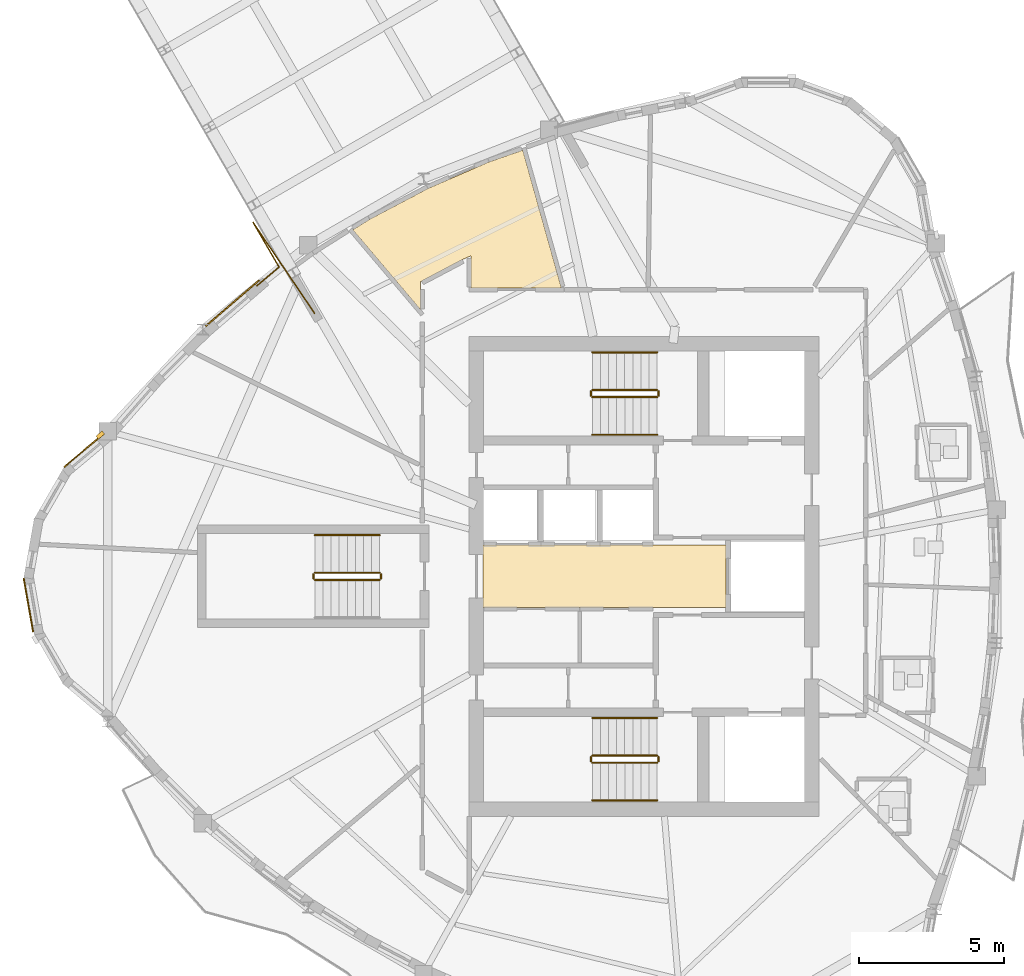
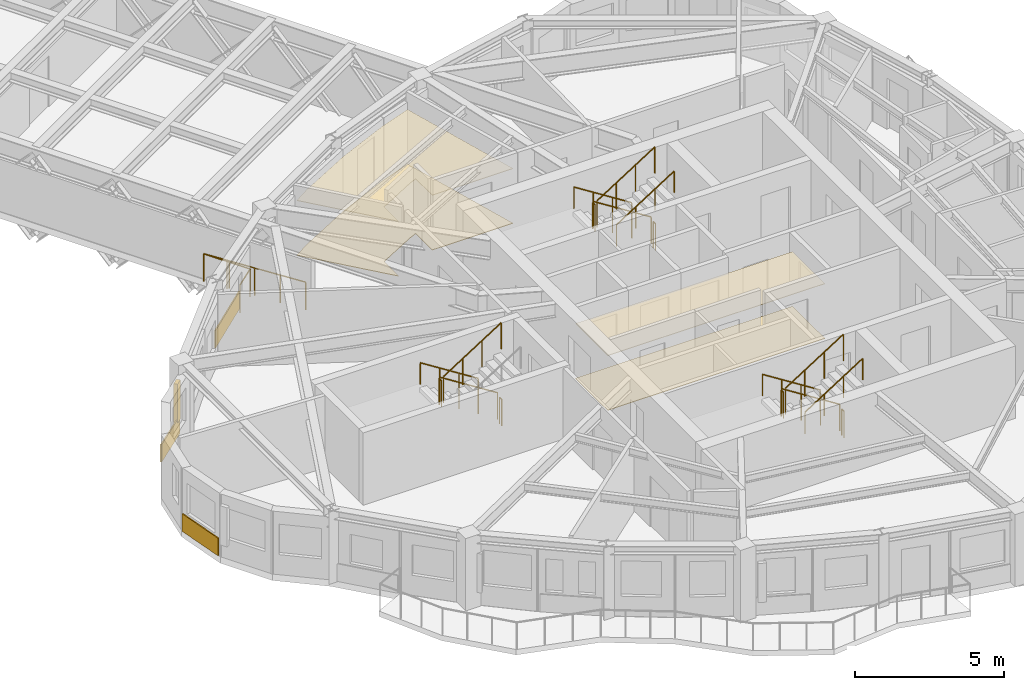
# One storey, part 12 of 14: 18 railings, 7 coverings, 1 shading device.
"""IFC4 building model written with IfcOpenShell, lengths in metres."""

import ifcopenshell
import ifcopenshell.guid

model = None  # the IFC model being written
_history = None  # IfcOwnerHistory: only IFC2X3 demands one
_inside = {}  # id of a spatial element -> (the spatial element, [elements in it])
_under = {}  # id of a project, library or spatial element -> (it, [spatial elements below it])
_declared = {}  # id of a project -> (the project, [libraries it declares])
_typed = {}  # id of a type object -> (the type object, [elements of that type])
_made_of = {}  # id of a material, layer set ... -> (it, [elements and type objects made of it])


def new_model(schema):
    """Start an empty IFC model of exactly this schema.

    Asked for "IFC4X3", IfcOpenShell would pick the latest addendum, in which some entities
    have other attributes; the version numbers below select the first issue.
    IFC2X3 requires an IfcOwnerHistory on every rooted entity: one is made here for all.
    """
    global model, _history
    if schema == "IFC4X3":
        model = ifcopenshell.file(schema_version=(4, 3, 0, 0))
    else:
        model = ifcopenshell.file(schema=schema)
    _inside.clear()
    _under.clear()
    _declared.clear()
    _typed.clear()
    _made_of.clear()
    _history = None
    if model.schema == "IFC2X3":
        org = make("IfcOrganization", Name="unknown")
        user = make(
            "IfcPersonAndOrganization",
            ThePerson=make("IfcPerson", FamilyName="unknown"),
            TheOrganization=org,
        )
        app = make(
            "IfcApplication",
            ApplicationDeveloper=org,
            Version="unknown",
            ApplicationFullName="unknown",
            ApplicationIdentifier="unknown",
        )
        _history = make(
            "IfcOwnerHistory",
            OwningUser=user,
            OwningApplication=app,
            ChangeAction="ADDED",
            CreationDate=0,
        )
    return model


def make(cls, **values):
    """One entity of the class cls with the attributes given. An attribute that is None is left unset."""
    return model.create_entity(
        cls, **{name: value for name, value in values.items() if value is not None}
    )


def rooted(cls, **values):
    """An entity with a GlobalId (a new one), such as an element, a storey or a relation."""
    return make(cls, GlobalId=ifcopenshell.guid.new(), OwnerHistory=_history, **values)


def si_unit(unit_type, name, prefix=None):
    """IfcSIUnit, for example si_unit("LENGTHUNIT", "METRE", prefix="MILLI")."""
    return make("IfcSIUnit", UnitType=unit_type, Prefix=prefix, Name=name)


def assignment(units):
    """IfcUnitAssignment: the units of a project."""
    return None if units is None else make("IfcUnitAssignment", Units=units)


def point(xyz):
    """IfcCartesianPoint."""
    return None if xyz is None else make("IfcCartesianPoint", Coordinates=xyz)


def direction(xyz):
    """IfcDirection."""
    return None if xyz is None else make("IfcDirection", DirectionRatios=xyz)


def frame(location, z_axis=None, x_axis=None):
    """IfcAxis2Placement3D, a coordinate frame: its origin and axes. An axis left out is left unset."""
    return make(
        "IfcAxis2Placement3D",
        Location=point(location),
        Axis=direction(z_axis),
        RefDirection=direction(x_axis),
    )


def frame_2d(location, x_axis=None):
    """IfcAxis2Placement2D, a coordinate frame in the plane: its origin and x axis."""
    return make(
        "IfcAxis2Placement2D", Location=point(location), RefDirection=direction(x_axis)
    )


def origin():
    """The frame at (0, 0, 0) with its axes left unset."""
    return frame((0.0, 0.0, 0.0))


def origin_2d():
    """The frame at (0, 0) in the plane with its x axis left unset."""
    return frame_2d((0.0, 0.0))


def place(relative_to, where):
    """IfcLocalPlacement: puts the frame where relative to a parent placement (None: the world)."""
    return make(
        "IfcLocalPlacement", PlacementRelTo=relative_to, RelativePlacement=where
    )


def context(
    kind, dimensions, precision=None, world=None, true_north=None, identifier=None
):
    """IfcGeometricRepresentationContext, for example the 3D "Model" context."""
    return make(
        "IfcGeometricRepresentationContext",
        ContextIdentifier=identifier,
        ContextType=kind,
        CoordinateSpaceDimension=dimensions,
        Precision=precision,
        WorldCoordinateSystem=world,
        TrueNorth=true_north,
    )


def subcontext(parent, identifier, kind, view, scale=None):
    """IfcGeometricRepresentationSubContext, for example "Body" below "Model"."""
    return make(
        "IfcGeometricRepresentationSubContext",
        ContextIdentifier=identifier,
        ContextType=kind,
        ParentContext=parent,
        TargetScale=scale,
        TargetView=view,
    )


def project(units=None, contexts=None):
    """IfcProject with its units and contexts."""
    return rooted(
        "IfcProject",
        Name="project",
        RepresentationContexts=contexts,
        UnitsInContext=assignment(units),
    )


def spatial(cls, under=None, at=None, **own):
    """A site, building, storey or space (cls), placed at a placement, below another one or the project."""
    s = rooted(cls, ObjectPlacement=at, **own)
    if under is not None:
        _under.setdefault(under.id(), (under, []))[1].append(s)
    return s


def polyline(points):
    """IfcPolyline through the points."""
    return make("IfcPolyline", Points=[point(p) for p in points])


def profile(cls, at=None, kind="AREA", **sizes):
    """A parametric profile (cls). Its sizes go by their IFC names, for example OverallWidth=200.0."""
    return make(cls, ProfileType=kind, Position=at, **sizes)


def rectangle(**sizes):
    """IfcRectangleProfileDef."""
    return profile("IfcRectangleProfileDef", **sizes)


def circle(**sizes):
    """IfcCircleProfileDef."""
    return profile("IfcCircleProfileDef", **sizes)


def outline(outer, holes=None, kind="AREA"):
    """IfcArbitraryClosedProfileDef: a profile drawn as a closed curve; with holes, ...WithVoids."""
    if holes is None:
        return make("IfcArbitraryClosedProfileDef", ProfileType=kind, OuterCurve=outer)
    return make(
        "IfcArbitraryProfileDefWithVoids",
        ProfileType=kind,
        OuterCurve=outer,
        InnerCurves=holes,
    )


def extrude(swept, where, along, depth):
    """IfcExtrudedAreaSolid: the profile swept, set in the frame where, extruded along a direction by depth."""
    return make(
        "IfcExtrudedAreaSolid",
        SweptArea=swept,
        Position=where,
        ExtrudedDirection=direction(along),
        Depth=depth,
    )


def shape(context_of_items, identifier, shape_type, items):
    """IfcShapeRepresentation: the items that make up one representation, for example the "Body"."""
    return make(
        "IfcShapeRepresentation",
        ContextOfItems=context_of_items,
        RepresentationIdentifier=identifier,
        RepresentationType=shape_type,
        Items=items,
    )


def source(mapping_origin, context_of_items, identifier, shape_type, items):
    """IfcRepresentationMap: a shape defined once, which mapped items show again and again."""
    return make(
        "IfcRepresentationMap",
        MappingOrigin=mapping_origin,
        MappedRepresentation=shape(context_of_items, identifier, shape_type, items),
    )


def transform(
    local_origin,
    x_axis=None,
    y_axis=None,
    z_axis=None,
    scale=None,
    scale2=None,
    scale3=None,
    uniform=True,
):
    """IfcCartesianTransformationOperator3D, or its non-uniform kind. x_axis, y_axis, z_axis: its Axis1, 2, 3."""
    if uniform:
        return make(
            "IfcCartesianTransformationOperator3D",
            Axis1=direction(x_axis),
            Axis2=direction(y_axis),
            LocalOrigin=point(local_origin),
            Scale=scale,
            Axis3=direction(z_axis),
        )
    return make(
        "IfcCartesianTransformationOperator3DnonUniform",
        Axis1=direction(x_axis),
        Axis2=direction(y_axis),
        LocalOrigin=point(local_origin),
        Scale=scale,
        Axis3=direction(z_axis),
        Scale2=scale2,
        Scale3=scale3,
    )


def mapped(mapping_source, mapping_target):
    """IfcMappedItem: shows the shape of a source again, moved by a transform."""
    return make(
        "IfcMappedItem", MappingSource=mapping_source, MappingTarget=mapping_target
    )


def material(Name=None, Category=None):
    """IfcMaterial."""
    return make("IfcMaterial", Name=Name, Category=Category)


def layer(
    of_material, thickness, ventilated=None, Name=None, Category=None, Priority=None
):
    """IfcMaterialLayer: one layer of a wall or slab, of a material (None: an air gap)."""
    return make(
        "IfcMaterialLayer",
        Material=of_material,
        LayerThickness=thickness,
        IsVentilated=ventilated,
        Name=Name,
        Category=Category,
        Priority=Priority,
    )


def layer_set(layers, Name=None):
    """IfcMaterialLayerSet."""
    return make("IfcMaterialLayerSet", MaterialLayers=layers, LayerSetName=Name)


def made_of(thing, what):
    """Note that an element or type object is made of a material, layer set ...; save() writes the relation."""
    if what is not None:
        _made_of.setdefault(what.id(), (what, []))[1].append(thing)
    return thing


def type_object(cls, material=None, **own):
    """A type object (cls), such as IfcWallType, which elements share."""
    return made_of(rooted(cls, **own), material)


def element(
    cls,
    number,
    at=None,
    inside=None,
    cuts=None,
    type_object=None,
    material=None,
    context=None,
    identifier="Body",
    shape_type=None,
    held_by="IfcProductDefinitionShape",
    body=None,
    shapes=None,
    **own,
):
    """One element of the class cls, such as IfcWall. Its Tag is "e" and its number.

    at: its placement. inside: the storey or other place that contains it. cuts: it is an
    opening in that element (IfcRelVoidsElement). A single representation is given by context,
    identifier, shape_type and body (its items); several are given by shapes. held_by: the class
    of the entity that holds the representations. save() writes the other relations.
    """
    e = rooted(cls, Tag="e%d" % number, ObjectPlacement=at, **own)
    if body is not None:
        shapes = [shape(context, identifier, shape_type, body)]
    if shapes is not None:
        e.Representation = make(held_by, Representations=shapes)
    if inside is not None:
        _inside.setdefault(inside.id(), (inside, []))[1].append(e)
    if cuts is not None:
        rooted(
            "IfcRelVoidsElement", RelatingBuildingElement=cuts, RelatedOpeningElement=e
        )
    if type_object is not None:
        _typed.setdefault(type_object.id(), (type_object, []))[1].append(e)
    return made_of(e, material)


def aggregate(whole, parts):
    """IfcRelAggregates: a whole, such as a stair, and the parts it consists of."""
    return rooted("IfcRelAggregates", RelatingObject=whole, RelatedObjects=parts)


def save(model, path):
    """Write the relations noted so far, then the file.

    IfcRelAggregates (storeys below a building ...), IfcRelContainedInSpatialStructure (elements
    in a storey), IfcRelDefinesByType, IfcRelAssociatesMaterial and IfcRelDeclares: one each for
    every whole, place, type object, material and project.
    """
    for whole, parts in _under.values():
        aggregate(whole, parts)
    for where, things in _inside.values():
        rooted(
            "IfcRelContainedInSpatialStructure",
            RelatedElements=things,
            RelatingStructure=where,
        )
    for kind, things in _typed.values():
        rooted("IfcRelDefinesByType", RelatedObjects=things, RelatingType=kind)
    for what, things in _made_of.values():
        rooted("IfcRelAssociatesMaterial", RelatedObjects=things, RelatingMaterial=what)
    for by, libraries in _declared.values():
        rooted("IfcRelDeclares", RelatingContext=by, RelatedDefinitions=libraries)
    model.write(path)


model = new_model("IFC4")

# Units and contexts
model_context = context("Model", 3, precision=1e-05, world=origin(), true_north=direction((0.0, 1.0)))
body_context = subcontext(model_context, "Body", "Model", "MODEL_VIEW")
ifc_project = project(units=[si_unit("LENGTHUNIT", "METRE"), si_unit("AREAUNIT", "SQUARE_METRE"), si_unit("VOLUMEUNIT", "CUBIC_METRE"), si_unit("PLANEANGLEUNIT", "RADIAN"), si_unit("MASSUNIT", "GRAM", prefix="KILO")], contexts=[model_context])

# Site, building, storey
site_placement = place(None, origin())
site = spatial("IfcSite", under=ifc_project, at=site_placement, CompositionType="ELEMENT")
building_placement = place(site_placement, origin())
building = spatial("IfcBuilding", under=site, at=building_placement, Name="Qafzar Sky-Pleat Residences", CompositionType="ELEMENT")
storey_placement = place(building_placement, frame((0.0, 0.0, 211.60009765625)))
storey = spatial("IfcBuildingStorey", under=building, at=storey_placement, Name="L63", CompositionType="ELEMENT", Elevation=211.60009765625)

# Coverings
ifc_material_1 = material(Name="Perforated acoustic gypsum board ceiling")
ifc_layer_1 = layer(ifc_material_1, 0.02001953125)
ifc_layer_set_1 = layer_set([ifc_layer_1], Name="Perforated acoustic gypsum board ceiling")
covering_type_1 = type_object("IfcCoveringType", Name="COV-CEIL-ACOUSTIC", PredefinedType="CEILING", material=ifc_layer_set_1)
covering_1_placement = place(storey_placement, frame((0.0, 0.0, 2.239990234375)))
element("IfcCovering", 1, at=covering_1_placement, inside=storey, type_object=covering_type_1, Name="L63 Passenger Lift Lobby Acoustic Ceiling", PredefinedType="CEILING", context=body_context, shape_type="SweptSolid", body=[
    extrude(outline(polyline([(33.179931640625, 24.919921875), (24.77001953125, 24.919921875), (24.77001953125, 27.080078125), (33.179931640625, 27.080078125), (33.179931640625, 24.919921875)])), origin(), (0.0, 0.0, 1.0), 0.02001953125),
])
covering_2_placement = place(storey_placement, frame((0.0, 0.0, 2.239990234375)))
element("IfcCovering", 2, at=covering_2_placement, inside=storey, type_object=covering_type_1, Name="L63 Co-Living Lounge Acoustic Ceiling", PredefinedType="CEILING", context=body_context, shape_type="SweptSolid", body=[
    extrude(outline(polyline([(20.8642578125, 38.359619140625), (22.879150390625, 39.4228515625), (24.980712890625, 40.33642578125), (26.15185546875, 40.745361328125), (27.48828125, 35.97998046875), (24.360107421875, 35.97998046875), (24.360107421875, 37.08984375), (24.06201171875, 36.960205078125), (22.6201171875, 36.19921875), (22.6201171875, 35.21875), (20.274169921875, 37.98828125), (20.8642578125, 38.359619140625)])), origin(), (0.0, 0.0, 1.0), 0.02001953125),
])
ifc_material_2 = material(Name="Honed porcelain and Riyadh stone tile flooring", Category="masonry")
ifc_layer_2 = layer(ifc_material_2, 0.02001953125)
ifc_layer_set_2 = layer_set([ifc_layer_2], Name="Honed porcelain and Riyadh stone tile flooring")
covering_type_2 = type_object("IfcCoveringType", Name="COV-FLR-PORCELAIN", PredefinedType="FLOORING", material=ifc_layer_set_2)
covering_3_placement = place(storey_placement, origin())
element("IfcCovering", 3, at=covering_3_placement, inside=storey, type_object=covering_type_2, Name="L63 Passenger Lift Lobby Honed Stone Flooring", PredefinedType="FLOORING", context=body_context, shape_type="SweptSolid", body=[
    extrude(outline(polyline([(33.179931640625, 24.919921875), (24.77001953125, 24.919921875), (24.77001953125, 27.080078125), (33.179931640625, 27.080078125), (33.179931640625, 24.919921875)])), origin(), (0.0, 0.0, 1.0), 0.02001953125),
])
covering_4_placement = place(storey_placement, origin())
element("IfcCovering", 4, at=covering_4_placement, inside=storey, type_object=covering_type_2, Name="L63 Co-Living Lounge Honed Stone Flooring", PredefinedType="FLOORING", context=body_context, shape_type="SweptSolid", body=[
    extrude(outline(polyline([(20.8642578125, 38.359619140625), (22.879150390625, 39.4228515625), (24.980712890625, 40.33642578125), (26.15185546875, 40.745361328125), (27.48828125, 35.97998046875), (24.360107421875, 35.97998046875), (24.360107421875, 37.08984375), (24.06201171875, 36.960205078125), (22.6201171875, 36.19921875), (22.6201171875, 35.21875), (20.274169921875, 37.98828125), (20.8642578125, 38.359619140625)])), origin(), (0.0, 0.0, 1.0), 0.02001953125),
])

# Shading device
ifc_material_3 = material(Name="Honed Riyadh limestone solar fin", Category="masonry")
ifc_layer_3 = layer(ifc_material_3, 0.139892578125)
ifc_layer_set_3 = layer_set([ifc_layer_3], Name="Honed Riyadh limestone solar fin")
shading_device_type = type_object("IfcShadingDeviceType", Name="SHD-FIN-STONE", PredefinedType="SHUTTER", material=ifc_layer_set_3)
shared_shape_1 = source(origin(), body_context, "Body", "SweptSolid", [
    extrude(rectangle(XDim=0.139892578125, YDim=0.280029296875, at=origin_2d()), origin(), (0.0, 0.0, 1.0), 1.60009765625),
])
shading_device_placement = place(storey_placement, frame((11.533935546875, 30.888916015625, 0.599853515625), z_axis=(0.0, 0.0, 1.0), x_axis=(-0.642754210861, 0.76607246682, 0.0)))
element("IfcShadingDevice", 5, at=shading_device_placement, inside=storey, type_object=shading_device_type, Name="L63 Limestone Solar Fin 1", PredefinedType="SHUTTER", context=body_context, shape_type="MappedRepresentation", body=[
    mapped(shared_shape_1, transform((0.0, 0.0, 0.0), x_axis=(1.0, 0.0, 0.0), y_axis=(0.0, 1.0, 0.0), z_axis=(0.0, 0.0, 1.0), scale=1.0)),
])

# Coverings
ifc_material_4 = material(Name="Honed Riyadh Tuwaiq limestone cladding", Category="masonry")
ifc_layer_4 = layer(ifc_material_4, 0.044921875)
ifc_layer_set_4 = layer_set([ifc_layer_4], Name="Honed Riyadh Tuwaiq limestone cladding")
covering_type_3 = type_object("IfcCoveringType", Name="COV-CLAD-STONE", PredefinedType="CLADDING", material=ifc_layer_set_4)
shared_shape_2 = source(origin(), body_context, "Body", "SweptSolid", [
    extrude(rectangle(XDim=1.88134765625, YDim=0.044921875, at=origin_2d()), origin(), (0.0, 0.0, 1.0), 0.719970703125),
])
covering_5_placement = place(storey_placement, frame((9.04833984375, 25.00439453125, 0.02001953125), z_axis=(0.0, 0.0, 1.0), x_axis=(0.173662519465, -0.984805224059, 0.0)))
element("IfcCovering", 6, at=covering_5_placement, inside=storey, type_object=covering_type_3, Name="L63 Riyadh Limestone Spandrel Cladding 4", PredefinedType="CLADDING", context=body_context, shape_type="MappedRepresentation", body=[
    mapped(shared_shape_2, transform((0.0, 0.0, 0.0), x_axis=(1.0, 0.0, 0.0), y_axis=(0.0, 1.0, 0.0), z_axis=(0.0, 0.0, 1.0), scale=1.0)),
])
shared_shape_3 = source(origin(), body_context, "Body", "SweptSolid", [
    extrude(rectangle(XDim=1.76611328125, YDim=0.044921875, at=origin_2d()), origin(), (0.0, 0.0, 1.0), 0.719970703125),
])
covering_6_placement = place(storey_placement, frame((10.960205078125, 30.351318359375, 0.02001953125), z_axis=(0.0, 0.0, 1.0), x_axis=(-0.76607417096, -0.642752179762, 0.0)))
element("IfcCovering", 7, at=covering_6_placement, inside=storey, type_object=covering_type_3, Name="L63 Riyadh Limestone Spandrel Cladding 1", PredefinedType="CLADDING", context=body_context, shape_type="MappedRepresentation", body=[
    mapped(shared_shape_3, transform((0.0, 0.0, 0.0), x_axis=(1.0, 0.0, 0.0), y_axis=(0.0, 1.0, 0.0), z_axis=(0.0, 0.0, 1.0), scale=1.0)),
])
shared_shape_4 = source(origin(), body_context, "Body", "SweptSolid", [
    extrude(rectangle(XDim=2.435302734375, YDim=0.044921875, at=origin_2d()), origin(), (0.0, 0.0, 1.0), 0.719970703125),
])
covering_7_placement = place(storey_placement, frame((16.111572265625, 35.453857421875, 0.02001953125), z_axis=(0.0, 0.0, 1.0), x_axis=(-0.757500711769, -0.652834337078, 0.0)))
element("IfcCovering", 8, at=covering_7_placement, inside=storey, type_object=covering_type_3, Name="L63 Riyadh Limestone Spandrel Cladding 46", PredefinedType="CLADDING", context=body_context, shape_type="MappedRepresentation", body=[
    mapped(shared_shape_4, transform((0.0, 0.0, 0.0), x_axis=(1.0, 0.0, 0.0), y_axis=(0.0, 1.0, 0.0), z_axis=(0.0, 0.0, 1.0), scale=1.0)),
])

# Railings
ifc_material_5 = material(Name="Galvanised and bronze-coated Steel S355 guardrail", Category="steel")
railing_type_1 = type_object("IfcRailingType", Name="RAIL-EXT-1150", PredefinedType="GUARDRAIL", material=ifc_material_5)
shared_shape_5 = source(origin(), body_context, "Body", "SweptSolid", [
    extrude(circle(Radius=0.02392578125, at=origin_2d()), frame((0.0, 0.0, 1.1259765625), z_axis=(0.764194446789, 0.644985928139, 0.0), x_axis=(-0.644985928139, 0.764194446789, 0.0)), (0.0, 0.0, 1.0), 1.007568359375),
    extrude(circle(Radius=0.02392578125, at=origin_2d()), frame((0.77001953125, 0.64990234375, 1.1259765625), z_axis=(-0.50208293911, 0.864819473795, 0.0), x_axis=(-0.864819473795, -0.50208293911, 0.0)), (0.0, 0.0, 1.0), 1.792236328125),
    extrude(circle(Radius=0.02392578125, at=origin_2d()), frame((-0.1298828125, 2.199951171875, 1.1259765625), z_axis=(0.560140932105, -0.828397329897, 0.0), x_axis=(0.828397329897, 0.560140932105, 0.0)), (0.0, 0.0, 1.0), 3.802490234375),
    extrude(circle(Radius=0.02099609375, at=origin_2d()), origin(), (0.0, 0.0, 1.0), 1.101806640625),
    extrude(circle(Radius=0.02099609375, at=origin_2d()), frame((0.77001953125, 0.64990234375, 0.0)), (0.0, 0.0, 1.0), 1.101806640625),
    extrude(circle(Radius=0.02099609375, at=origin_2d()), frame((0.320068359375, 1.4248046875, 0.0)), (0.0, 0.0, 1.0), 1.101806640625),
    extrude(circle(Radius=0.02099609375, at=origin_2d()), frame((-0.1298828125, 2.199951171875, 0.0)), (0.0, 0.0, 1.0), 1.101806640625),
    extrude(circle(Radius=0.02099609375, at=origin_2d()), frame((0.402587890625, 1.41259765625, 0.0)), (0.0, 0.0, 1.0), 1.101806640625),
    extrude(circle(Radius=0.02099609375, at=origin_2d()), frame((0.93505859375, 0.625, 0.0)), (0.0, 0.0, 1.0), 1.101806640625),
    extrude(circle(Radius=0.02099609375, at=origin_2d()), frame((1.467529296875, -0.16259765625, 0.0)), (0.0, 0.0, 1.0), 1.101806640625),
    extrude(circle(Radius=0.02099609375, at=origin_2d()), frame((2.0, -0.949951171875, 0.0)), (0.0, 0.0, 1.0), 1.101806640625),
])
railing_placement = place(storey_placement, frame((16.949951171875, 36.050048828125, 0.0)))
element("IfcRailing", 9, at=railing_placement, inside=storey, type_object=railing_type_1, Name="L63 SB-5 Junction Perimeter Guardrail", PredefinedType="GUARDRAIL", context=body_context, shape_type="MappedRepresentation", body=[
    mapped(shared_shape_5, transform((0.0, 0.0, 0.0), x_axis=(1.0, 0.0, 0.0), y_axis=(0.0, 1.0, 0.0), z_axis=(0.0, 0.0, 1.0), scale=1.0)),
])
ifc_material_6 = material(Name="Painted Steel S355 stair guardrail", Category="steel")
railing_type_2 = type_object("IfcRailingType", Name="RAIL-STAIR-GUARD", PredefinedType="GUARDRAIL", material=ifc_material_6)
shared_shape_6 = source(origin(), body_context, "Body", "SweptSolid", [
    extrude(circle(Radius=0.02392578125, at=origin_2d()), frame((0.0, 0.0, 1.076171875), z_axis=(0.0, -1.0, 0.0), x_axis=(1.0, 0.0, 0.0)), (0.0, 0.0, 1.0), 0.14990234375),
    extrude(circle(Radius=0.02099609375, at=origin_2d()), origin(), (0.0, 0.0, 1.0), 1.052001953125),
    extrude(circle(Radius=0.02099609375, at=origin_2d()), frame((0.0, -0.14990234375, 0.0)), (0.0, 0.0, 1.0), 1.052001953125),
])
for number, where, name in (
    (10, (28.510009765625, 19.75, 1.599853515625), "L63 ST1 stair guard 2"),
    (11, (30.85009765625, 19.75, 0.0), "L63 ST1 stair guard 4"),
    (12, (28.510009765625, 32.39990234375, 1.599853515625), "L63 ST2 stair guard 2"),
    (13, (30.85009765625, 32.39990234375, 0.0), "L63 ST2 stair guard 4"),
    (14, (18.909912109375, 26.074951171875, 1.599853515625), "L63 ST3 stair guard 2"),
    (15, (21.25, 26.074951171875, 0.0), "L63 ST3 stair guard 4"),
):
    element("IfcRailing", number, at=place(storey_placement, frame(where)), inside=storey, type_object=railing_type_2, Name=name, PredefinedType="GUARDRAIL", context=body_context, shape_type="MappedRepresentation", body=[
        mapped(shared_shape_6, transform((0.0, 0.0, 0.0), x_axis=(1.0, 0.0, 0.0), y_axis=(0.0, 1.0, 0.0), z_axis=(0.0, 0.0, 1.0), scale=1.0)),
    ])
shared_shape_7 = source(origin(), body_context, "Body", "SweptSolid", [
    extrude(circle(Radius=0.02392578125, at=origin_2d()), frame((0.0, 0.0, 1.076171875), z_axis=(-0.8442293374, 0.0, 0.53598211339), x_axis=(0.0, -1.0, 0.0)), (0.0, 0.0, 1.0), 2.6533203125),
    extrude(circle(Radius=0.02099609375, at=origin_2d()), origin(), (0.0, 0.0, 1.0), 1.052001953125),
    extrude(circle(Radius=0.02099609375, at=origin_2d()), frame((-0.74658203125, 0.0, 0.47412109375)), (0.0, 0.0, 1.0), 1.052001953125),
    extrude(circle(Radius=0.02099609375, at=origin_2d()), frame((-1.493408203125, 0.0, 0.947998046875)), (0.0, 0.0, 1.0), 1.052001953125),
    extrude(circle(Radius=0.02099609375, at=origin_2d()), frame((-2.239990234375, 0.0, 1.422119140625)), (0.0, 0.0, 1.0), 1.052001953125),
])
for number, where, name in (
    (16, (30.800048828125, 19.800048828125, 0.177734375), "L63 ST1 stair guard 1"),
    (17, (30.800048828125, 32.449951171875, 0.177734375), "L63 ST2 stair guard 1"),
    (18, (21.199951171875, 26.125, 0.177734375), "L63 ST3 stair guard 1"),
):
    element("IfcRailing", number, at=place(storey_placement, frame(where)), inside=storey, type_object=railing_type_2, Name=name, PredefinedType="GUARDRAIL", context=body_context, shape_type="MappedRepresentation", body=[
        mapped(shared_shape_7, transform((0.0, 0.0, 0.0), x_axis=(1.0, 0.0, 0.0), y_axis=(0.0, 1.0, 0.0), z_axis=(0.0, 0.0, 1.0), scale=1.0)),
    ])
ifc_material_7 = material(Name="Brushed stainless steel handrail", Category="steel")
railing_type_3 = type_object("IfcRailingType", Name="RAIL-STAIR-HAND", PredefinedType="HANDRAIL", material=ifc_material_7)
shared_shape_8 = source(origin(), body_context, "Body", "SweptSolid", [
    extrude(circle(Radius=0.02392578125, at=origin_2d()), frame((0.0, 0.0, 0.8759765625), z_axis=(-0.8442293374, 0.0, 0.53598211339), x_axis=(0.0, -1.0, 0.0)), (0.0, 0.0, 1.0), 2.6533203125),
    extrude(circle(Radius=0.02099609375, at=origin_2d()), origin(), (0.0, 0.0, 1.0), 0.851806640625),
    extrude(circle(Radius=0.02099609375, at=origin_2d()), frame((-0.74658203125, 0.0, 0.47412109375)), (0.0, 0.0, 1.0), 0.851806640625),
    extrude(circle(Radius=0.02099609375, at=origin_2d()), frame((-1.493408203125, 0.0, 0.947998046875)), (0.0, 0.0, 1.0), 0.851806640625),
    extrude(circle(Radius=0.02099609375, at=origin_2d()), frame((-2.239990234375, 0.0, 1.422119140625)), (0.0, 0.0, 1.0), 0.851806640625),
])
for number, where, name in (
    (19, (30.800048828125, 21.10009765625, 0.177734375), "L63 ST1 stair handrail 1"),
    (20, (30.800048828125, 33.75, 0.177734375), "L63 ST2 stair handrail 1"),
    (21, (21.199951171875, 27.425048828125, 0.177734375), "L63 ST3 stair handrail 1"),
):
    element("IfcRailing", number, at=place(storey_placement, frame(where)), inside=storey, type_object=railing_type_3, Name=name, PredefinedType="HANDRAIL", context=body_context, shape_type="MappedRepresentation", body=[
        mapped(shared_shape_8, transform((0.0, 0.0, 0.0), x_axis=(1.0, 0.0, 0.0), y_axis=(0.0, 1.0, 0.0), z_axis=(0.0, 0.0, 1.0), scale=1.0)),
    ])
shared_shape_9 = source(origin(), body_context, "Body", "SweptSolid", [
    extrude(circle(Radius=0.02392578125, at=origin_2d()), frame((0.0, 0.0, 1.076171875), z_axis=(0.84418770128, 0.0, 0.536047689118), x_axis=(0.0, 1.0, 0.0)), (0.0, 0.0, 1.0), 2.6533203125),
    extrude(circle(Radius=0.02099609375, at=origin_2d()), origin(), (0.0, 0.0, 1.0), 1.052001953125),
    extrude(circle(Radius=0.02099609375, at=origin_2d()), frame((0.74658203125, 0.0, 0.47412109375)), (0.0, 0.0, 1.0), 1.052001953125),
    extrude(circle(Radius=0.02099609375, at=origin_2d()), frame((1.493408203125, 0.0, 0.9482421875)), (0.0, 0.0, 1.0), 1.052001953125),
    extrude(circle(Radius=0.02099609375, at=origin_2d()), frame((2.239990234375, 0.0, 1.42236328125)), (0.0, 0.0, 1.0), 1.052001953125),
])
for number, where, name in (
    (22, (28.56005859375, 19.550048828125, 1.777587890625), "L63 ST1 stair guard 3"),
    (23, (28.56005859375, 32.199951171875, 1.777587890625), "L63 ST2 stair guard 3"),
    (24, (18.9599609375, 25.875, 1.777587890625), "L63 ST3 stair guard 3"),
):
    element("IfcRailing", number, at=place(storey_placement, frame(where)), inside=storey, type_object=railing_type_2, Name=name, PredefinedType="GUARDRAIL", context=body_context, shape_type="MappedRepresentation", body=[
        mapped(shared_shape_9, transform((0.0, 0.0, 0.0), x_axis=(1.0, 0.0, 0.0), y_axis=(0.0, 1.0, 0.0), z_axis=(0.0, 0.0, 1.0), scale=1.0)),
    ])
shared_shape_10 = source(origin(), body_context, "Body", "SweptSolid", [
    extrude(circle(Radius=0.02392578125, at=origin_2d()), frame((0.0, 0.0, 0.8759765625), z_axis=(0.84418770128, 0.0, 0.536047689118), x_axis=(0.0, 1.0, 0.0)), (0.0, 0.0, 1.0), 2.6533203125),
    extrude(circle(Radius=0.02099609375, at=origin_2d()), origin(), (0.0, 0.0, 1.0), 0.851806640625),
    extrude(circle(Radius=0.02099609375, at=origin_2d()), frame((0.74658203125, 0.0, 0.47412109375)), (0.0, 0.0, 1.0), 0.851806640625),
    extrude(circle(Radius=0.02099609375, at=origin_2d()), frame((1.493408203125, 0.0, 0.9482421875)), (0.0, 0.0, 1.0), 0.851806640625),
    extrude(circle(Radius=0.02099609375, at=origin_2d()), frame((2.239990234375, 0.0, 1.42236328125)), (0.0, 0.0, 1.0), 0.851806640625),
])
for number, where, name in (
    (25, (28.56005859375, 18.25, 1.777587890625), "L63 ST1 stair handrail 2"),
    (26, (28.56005859375, 30.89990234375, 1.777587890625), "L63 ST2 stair handrail 2"),
):
    element("IfcRailing", number, at=place(storey_placement, frame(where)), inside=storey, type_object=railing_type_3, Name=name, PredefinedType="HANDRAIL", context=body_context, shape_type="MappedRepresentation", body=[
        mapped(shared_shape_10, transform((0.0, 0.0, 0.0), x_axis=(1.0, 0.0, 0.0), y_axis=(0.0, 1.0, 0.0), z_axis=(0.0, 0.0, 1.0), scale=1.0)),
    ])

save(model, "model.ifc")
